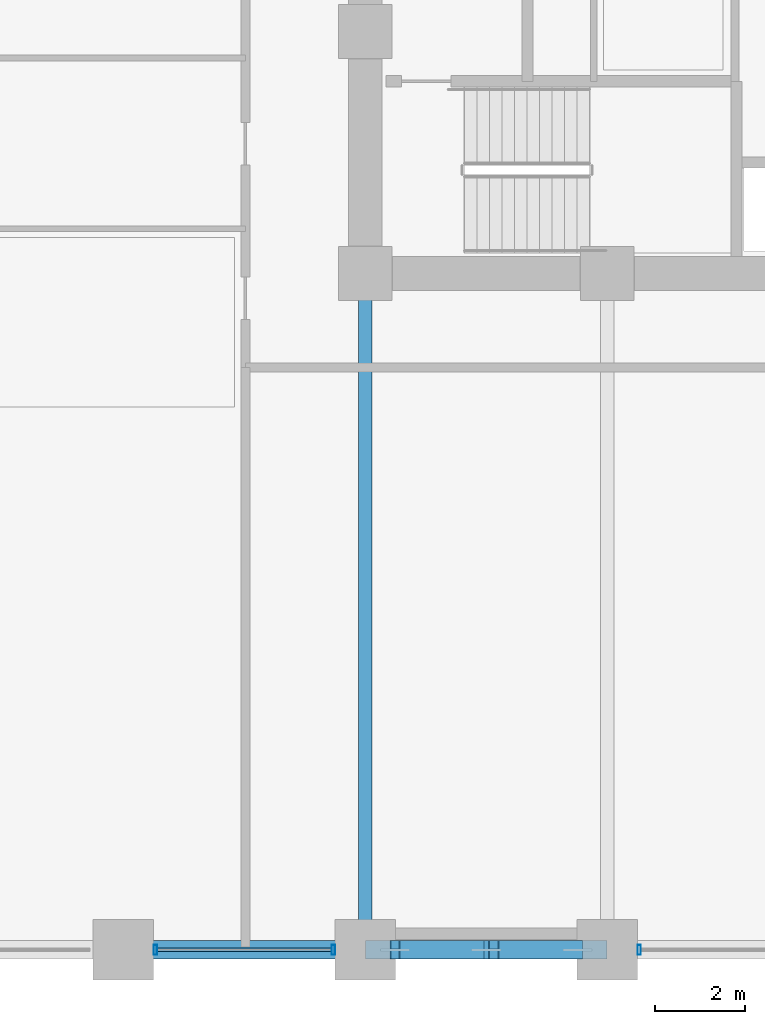
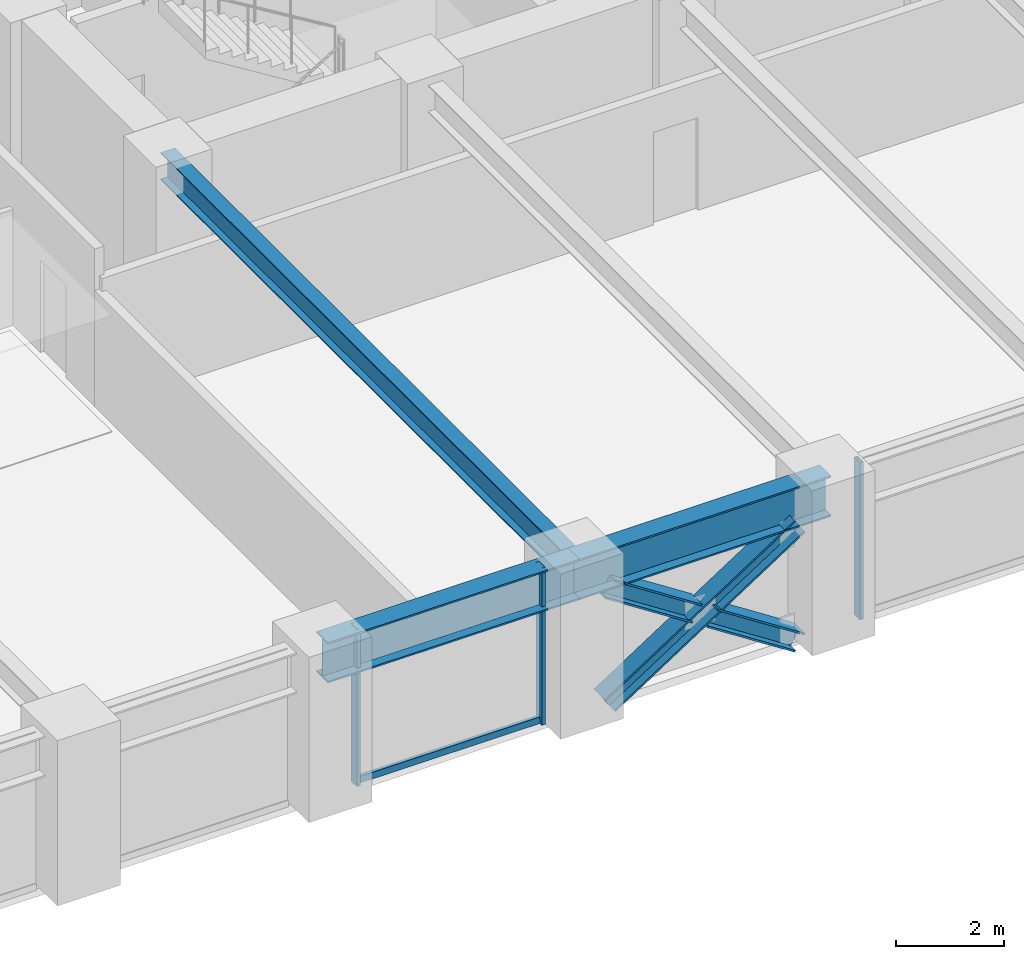
# One storey, part 4 of 25: 7 members, 3 beams, 2 elements without a shape of their own.
"""IFC4 building model written with IfcOpenShell, lengths in metres."""

from ifc_helpers import new_model, si_unit, direction, frame, origin, origin_2d, place, context, subcontext, project, spatial, hollow_rectangle, i_section, extrude, material, layer, layer_set, material_profile, profile_set, type_object, element, aggregate, save


model = new_model("IFC4")

# Units and contexts
model_context = context("Model", 3, precision=1e-05, world=origin(), true_north=direction((0.0, 1.0)))
body_context = subcontext(model_context, "Body", "Model", "MODEL_VIEW")
ifc_project = project(units=[si_unit("LENGTHUNIT", "METRE"), si_unit("AREAUNIT", "SQUARE_METRE"), si_unit("VOLUMEUNIT", "CUBIC_METRE"), si_unit("PLANEANGLEUNIT", "RADIAN"), si_unit("MASSUNIT", "GRAM", prefix="KILO")], contexts=[model_context])

# Site, building, storey
site_placement = place(None, origin())
site = spatial("IfcSite", under=ifc_project, at=site_placement, CompositionType="ELEMENT")
building_placement = place(site_placement, origin())
building = spatial("IfcBuilding", under=site, at=building_placement, Name="Surkhivell Harbour Commons", CompositionType="ELEMENT")
storey_placement = place(building_placement, frame((0.0, 0.0, 33.75)))
storey = spatial("IfcBuildingStorey", under=building, at=storey_placement, Name="L08", CompositionType="ELEMENT", Elevation=33.75)

# Beams
ifc_material_1 = material(Name="Steel S355", Category="steel")
ifc_material_profile_1 = material_profile(ifc_material_1, i_section(OverallWidth=0.306884765625, OverallDepth=0.6201171875, WebThickness=0.01416015625, FlangeThickness=0.023681640625, at=origin_2d()), Name="UB610x305x179")
ifc_profile_set_1 = profile_set([ifc_material_profile_1], Name="Steel S355")
beam_type_1 = type_object("IfcBeamType", Name="BM-GRD-610A", PredefinedType="BEAM", material=ifc_profile_set_1)
beam_1_placement = place(storey_placement, frame((-10.800048828125, -25.89990234375, 3.260009765625), z_axis=(0.0, 1.0, 0.0), x_axis=(-1.0, 0.0, 0.0)))
element("IfcBeam", 1, at=beam_1_placement, inside=storey, type_object=beam_type_1, Name="L08 Floor Girder (-10.8,-25.9)", PredefinedType="BEAM", context=body_context, shape_type="SweptSolid", body=[
    extrude(i_section(OverallWidth=0.306884765625, OverallDepth=0.6201171875, WebThickness=0.01416015625, FlangeThickness=0.023681640625, at=origin_2d()), origin(), (0.0, 0.0, 1.0), 15.099853515625),
])
ifc_material_2 = material(Name="Steel S460", Category="steel")
ifc_material_profile_2 = material_profile(ifc_material_2, i_section(OverallWidth=0.419921875, OverallDepth=0.9208984375, WebThickness=0.021484375, FlangeThickness=0.03662109375, at=origin_2d()), Name="UB914x419x388")
ifc_profile_set_2 = profile_set([ifc_material_profile_2], Name="Steel S460")
beam_type_2 = type_object("IfcBeamType", Name="BM-SPN-914A", PredefinedType="SPANDREL", material=ifc_profile_set_2)
beam_2_placement = place(storey_placement, frame((-16.199951171875, -25.89990234375, 3.109619140625), z_axis=(1.0, 0.0, 0.0), x_axis=(0.0, 1.0, 0.0)))
element("IfcBeam", 2, at=beam_2_placement, inside=storey, type_object=beam_type_2, Name="L08 Tube Spandrel (-16.2,-25.9)", PredefinedType="SPANDREL", context=body_context, shape_type="SweptSolid", body=[
    extrude(i_section(OverallWidth=0.419921875, OverallDepth=0.9208984375, WebThickness=0.021484375, FlangeThickness=0.03662109375, at=origin_2d()), origin(), (0.0, 0.0, 1.0), 5.39990234375),
])
beam_3_placement = place(storey_placement, frame((-10.800048828125, -25.89990234375, 3.109619140625), z_axis=(1.0, 0.0, 0.0), x_axis=(0.0, 1.0, 0.0)))
element("IfcBeam", 3, at=beam_3_placement, inside=storey, type_object=beam_type_2, Name="L08 Tube Spandrel (-10.8,-25.9)", PredefinedType="SPANDREL", context=body_context, shape_type="SweptSolid", body=[
    extrude(i_section(OverallWidth=0.419921875, OverallDepth=0.9208984375, WebThickness=0.021484375, FlangeThickness=0.03662109375, at=origin_2d()), origin(), (0.0, 0.0, 1.0), 5.400146484375),
])

# Curtain wall, members
ifc_material_3 = material(Name="Anodised pale-metal aluminium and insulated glazing", Category="aluminium")
ifc_layer = layer(ifc_material_3, 0.219970703125)
ifc_layer_set = layer_set([ifc_layer], Name="Anodised pale-metal aluminium and insulated glazing")
curtain_wall_type = type_object("IfcCurtainWallType", Name="CW-SYS-Z1", PredefinedType="NOTDEFINED", material=ifc_layer_set)
curtain_wall_1_placement = place(storey_placement, origin())
curtain_wall_1 = element("IfcCurtainWall", 4, at=curtain_wall_1_placement, inside=storey, type_object=curtain_wall_type, Name="L08 Curtain Wall CW-L08-E00S1", PredefinedType="NOTDEFINED")
ifc_material_4 = material(Name="Anodised pale-metal aluminium alloy 6063-T6", Category="aluminium")
ifc_material_profile_3 = material_profile(ifc_material_4, hollow_rectangle(XDim=0.074951171875, YDim=0.219970703125, WallThickness=0.00390625, at=origin_2d()), Name="ALU-MULL-75x220")
ifc_profile_set_3 = profile_set([ifc_material_profile_3], Name="Anodised pale-metal aluminium alloy 6063-T6")
member_type_1 = type_object("IfcMemberType", Name="CWM-220", PredefinedType="MULLION", material=ifc_profile_set_3)
member_1_placement = place(storey_placement, frame((-15.485595703125, -25.89990234375, 0.0), z_axis=(0.0, 0.0, 1.0), x_axis=(1.0, 0.0, 0.0)))
member_1 = element("IfcMember", 5, at=member_1_placement, type_object=member_type_1, Name="CW-Z1 mullion 3", PredefinedType="MULLION", context=body_context, shape_type="SweptSolid", body=[
    extrude(hollow_rectangle(XDim=0.074951171875, YDim=0.219970703125, WallThickness=0.00390625, at=origin_2d()), origin(), (0.0, 0.0, 1.0), 3.570068359375),
])
member_2_placement = place(storey_placement, frame((-11.514404296875, -25.89990234375, 0.0), z_axis=(0.0, 0.0, 1.0), x_axis=(1.0, 0.0, 0.0)))
member_2 = element("IfcMember", 6, at=member_2_placement, type_object=member_type_1, Name="CW-Z1 mullion 4", PredefinedType="MULLION", context=body_context, shape_type="SweptSolid", body=[
    extrude(hollow_rectangle(XDim=0.074951171875, YDim=0.219970703125, WallThickness=0.00390625, at=origin_2d()), origin(), (0.0, 0.0, 1.0), 3.570068359375),
])

# Curtain wall, member
curtain_wall_2_placement = place(storey_placement, origin())
curtain_wall_2 = element("IfcCurtainWall", 7, at=curtain_wall_2_placement, inside=storey, type_object=curtain_wall_type, Name="L08 Curtain Wall CW-L08-E00S2", PredefinedType="NOTDEFINED")
member_3_placement = place(storey_placement, frame((-4.685546875, -25.89990234375, 0.0), z_axis=(0.0, 0.0, 1.0), x_axis=(1.0, 0.0, 0.0)))
member_3 = element("IfcMember", 8, at=member_3_placement, type_object=member_type_1, Name="CW-Z1 mullion 1", PredefinedType="MULLION", context=body_context, shape_type="SweptSolid", body=[
    extrude(hollow_rectangle(XDim=0.074951171875, YDim=0.219970703125, WallThickness=0.00390625, at=origin_2d()), origin(), (0.0, 0.0, 1.0), 3.570068359375),
])
aggregate(curtain_wall_2, [member_3])

# Member
ifc_material_profile_4 = material_profile(ifc_material_4, hollow_rectangle(XDim=0.074951171875, YDim=0.14990234375, WallThickness=0.00341796875, at=origin_2d()), Name="ALU-TRAN-75x150")
ifc_profile_set_4 = profile_set([ifc_material_profile_4], Name="Anodised pale-metal aluminium alloy 6063-T6")
member_type_2 = type_object("IfcMemberType", Name="CWT-150", PredefinedType="USERDEFINED", material=ifc_profile_set_4)
member_4_placement = place(storey_placement, frame((-15.447998046875, -25.89990234375, 0.074951171875), z_axis=(1.0, 0.0, 0.0), x_axis=(0.0, 1.0, 0.0)))
member_4 = element("IfcMember", 9, at=member_4_placement, type_object=member_type_2, Name="CW-Z1 transom 3.1", ObjectType="TRANSOM", PredefinedType="USERDEFINED", context=body_context, shape_type="SweptSolid", body=[
    extrude(hollow_rectangle(XDim=0.074951171875, YDim=0.14990234375, WallThickness=0.00341796875, at=origin_2d()), origin(), (0.0, 0.0, 1.0), 3.89599609375),
])

aggregate(curtain_wall_1, [member_1, member_2, member_4])

# Members
ifc_material_profile_5 = material_profile(ifc_material_2, i_section(OverallWidth=0.406005859375, OverallDepth=0.416015625, WebThickness=0.026611328125, FlangeThickness=0.0390625, at=origin_2d()), Name="HD400x382")
ifc_profile_set_5 = profile_set([ifc_material_profile_5], Name="Steel S460")
member_type_3 = type_object("IfcMemberType", Name="MEM-BRC-HD382", PredefinedType="BRACE", material=ifc_profile_set_5)
member_5_placement = place(storey_placement, frame((-10.139892578125, -25.89990234375, 0.008056640625), z_axis=(0.839088897369, 0.0, 0.543994321949), x_axis=(0.0, 1.0, 0.0)))
element("IfcMember", 10, at=member_5_placement, inside=storey, type_object=member_type_3, Name="L08 Perimeter Mega-Brace MB- 07", PredefinedType="BRACE", context=body_context, shape_type="SweptSolid", body=[
    extrude(i_section(OverallWidth=0.406005859375, OverallDepth=0.416015625, WebThickness=0.026611328125, FlangeThickness=0.0390625, at=origin_2d()), origin(), (0.0, 0.0, 1.0), 4.8623046875),
])
for number, where, z_axis, x_axis, name in (
    (11, (-6.06005859375, -25.89990234375, 0.008056640625), (-0.83908547242, 0.0, 0.543999604756), (0.0, -1.0, 0.0), "L08 Perimeter Mega-Brace MB- 08"),
    (12, (-8.267578125, -25.89990234375, 1.439208984375), (-0.83908547242, 0.0, 0.543999604756), (0.0, -1.0, 0.0), "L08 Perimeter Mega-Brace MB- 09"),
):
    element("IfcMember", number, at=place(storey_placement, frame(where, z_axis=z_axis, x_axis=x_axis)), inside=storey, type_object=member_type_3, Name=name, PredefinedType="BRACE", context=body_context, shape_type="SweptSolid", body=[
        extrude(i_section(OverallWidth=0.406005859375, OverallDepth=0.416015625, WebThickness=0.026611328125, FlangeThickness=0.0390625, at=origin_2d()), origin(), (0.0, 0.0, 1.0), 2.2314453125),
    ])

save(model, "model.ifc")
